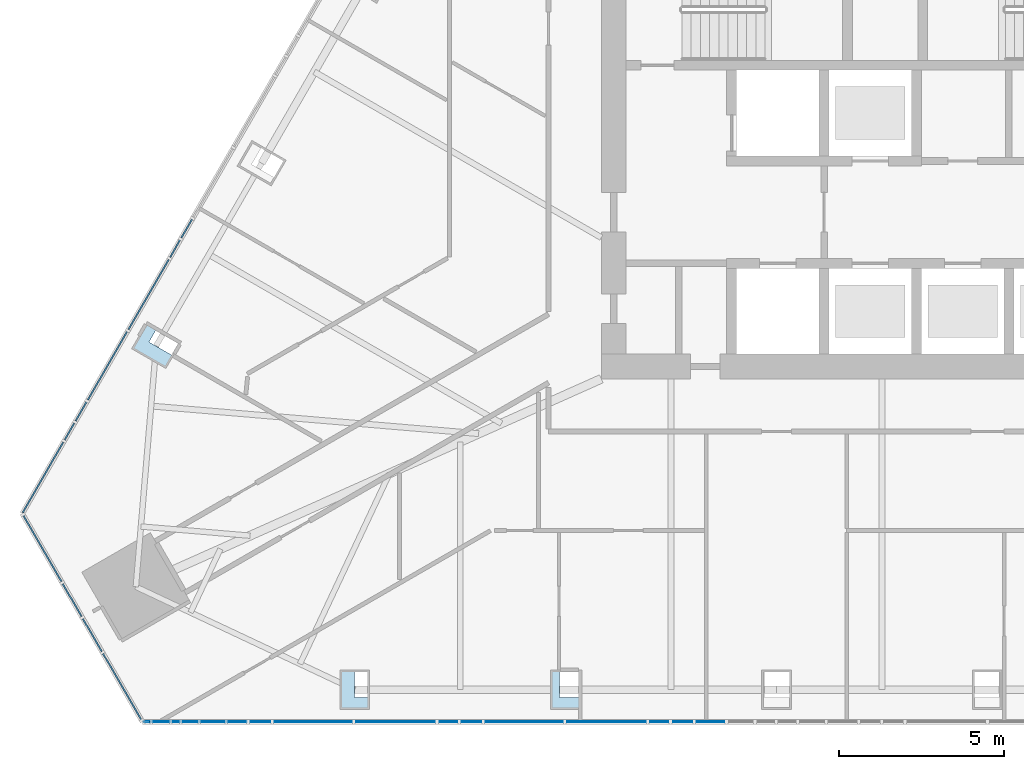
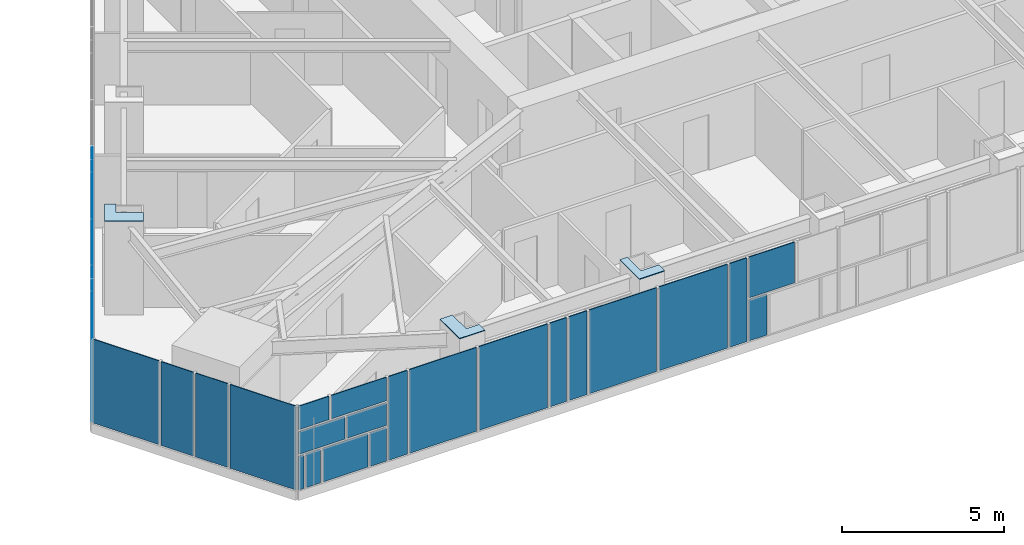
# One storey, part 16 of 26: 32 plates, 3 elements without a shape of their own.
"""IFC4 building model written with IfcOpenShell, lengths in metres."""

from ifc_helpers import new_model, si_unit, direction, frame, origin, place, context, subcontext, project, spatial, polyline, outline, extrude, material, layer, layer_set, type_object, element, aggregate, save


model = new_model("IFC4")

# Units and contexts
model_context = context("Model", 3, precision=1e-05, world=origin(), true_north=direction((0.0, 1.0)))
body_context = subcontext(model_context, "Body", "Model", "MODEL_VIEW")
ifc_project = project(units=[si_unit("LENGTHUNIT", "METRE"), si_unit("AREAUNIT", "SQUARE_METRE"), si_unit("VOLUMEUNIT", "CUBIC_METRE"), si_unit("PLANEANGLEUNIT", "RADIAN"), si_unit("MASSUNIT", "GRAM", prefix="KILO")], contexts=[model_context])

# Site, building, storey
site_placement = place(None, origin())
site = spatial("IfcSite", under=ifc_project, at=site_placement, CompositionType="ELEMENT")
building_placement = place(site_placement, origin())
building = spatial("IfcBuilding", under=site, at=building_placement, Name="Firuza Gate Tower and Library", CompositionType="ELEMENT")
storey_placement = place(building_placement, frame((0.0, 0.0, 288.10009765625)))
storey = spatial("IfcBuildingStorey", under=building, at=storey_placement, Name="L69", CompositionType="ELEMENT", Elevation=288.10009765625)

# Plates
ifc_material_1 = material(Name="Steel S355", Category="steel")
ifc_layer_1 = layer(ifc_material_1, 0.030029296875)
ifc_layer_set_1 = layer_set([ifc_layer_1], Name="Column infill plate 30 Steel S355")
plate_type_1 = type_object("IfcPlateType", Name="Column infill plate 30 Steel S355", PredefinedType="SHEET", material=ifc_layer_set_1)
placement_1 = place(storey_placement, frame((0.0, 0.0, 3.5)))
element("IfcPlate", 1, at=placement_1, inside=storey, type_object=plate_type_1, Name="Infill plate L69:S1", PredefinedType="SHEET", context=body_context, shape_type="SweptSolid", body=[
    extrude(outline(polyline([(59.4765625, 58.23193359375), (59.4765625, 58.587646484375), (59.0166015625, 58.587646484375), (59.0166015625, 59.431884765625), (58.57666015625, 59.431884765625), (58.57666015625, 58.23193359375), (59.4765625, 58.23193359375)])), origin(), (0.0, 0.0, 1.0), 0.02978515625),
])
element("IfcPlate", 2, at=placement_1, inside=storey, type_object=plate_type_1, Name="Infill plate L69:S2", PredefinedType="SHEET", context=body_context, shape_type="SweptSolid", body=[
    extrude(outline(polyline([(65.865966796875, 58.23193359375), (65.865966796875, 58.587646484375), (65.22998046875, 58.587646484375), (65.22998046875, 59.431884765625), (64.966064453125, 59.431884765625), (64.966064453125, 58.23193359375), (65.865966796875, 58.23193359375)])), origin(), (0.0, 0.0, 1.0), 0.02978515625),
])
element("IfcPlate", 3, at=placement_1, inside=storey, type_object=plate_type_1, Name="Infill plate L69:W6", PredefinedType="SHEET", context=body_context, shape_type="SweptSolid", body=[
    extrude(outline(polyline([(53.30615234375, 68.56103515625), (53.526123046875, 68.942138671875), (52.794921875, 69.3642578125), (53.02490234375, 69.7626953125), (52.716796875, 69.9404296875), (52.266845703125, 69.160888671875), (53.30615234375, 68.56103515625)])), origin(), (0.0, 0.0, 1.0), 0.02978515625),
])

# Curtain wall, plates
ifc_material_2 = material(Name="Aluminium 6063-T6", Category="aluminium")
ifc_layer_2 = layer(ifc_material_2, 0.14990234375)
ifc_layer_set_2 = layer_set([ifc_layer_2], Name="Corner curtain wall, chamfers")
curtain_wall_type_1 = type_object("IfcCurtainWallType", Name="Corner curtain wall, chamfers", PredefinedType="NOTDEFINED", material=ifc_layer_set_2)
placement_2 = place(storey_placement, origin())
curtain_wall_1 = element("IfcCurtainWall", 4, at=placement_2, inside=storey, type_object=curtain_wall_type_1, Name="CW4 L69 SW corner", PredefinedType="NOTDEFINED")
ifc_material_3 = material(Name="Fritted glass", Category="glass")
ifc_layer_3 = layer(ifc_material_3, 0.030029296875)
ifc_layer_set_3 = layer_set([ifc_layer_3], Name="Fritted glass unit, corners")
plate_type_2 = type_object("IfcPlateType", Name="Fritted glass unit, corners", PredefinedType="CURTAIN_PANEL", material=ifc_layer_set_3)
plate_4_placement = place(storey_placement, frame((50.168212890625, 62.028564453125, 0.14990234375), z_axis=(-0.865972029493, -0.500092435591, 0.0), x_axis=(0.500092435591, -0.865972029493, 0.0)))
plate_4 = element("IfcPlate", 5, at=plate_4_placement, type_object=plate_type_2, Name="Glass unit", PredefinedType="CURTAIN_PANEL", context=body_context, shape_type="SweptSolid", body=[
    extrude(outline(polyline([(0.0, 0.0), (1.142366934274804, 0.0), (1.142366934274804, 3.14990234375), (0.0, 3.14990234375), (0.0, 0.0)])), origin(), (0.0, 0.0, -1.0), 0.030029296875),
])
plate_5_placement = place(storey_placement, frame((50.779296875, 60.969970703125, 0.14990234375), z_axis=(-0.865918566217, -0.500185002455, 0.0), x_axis=(0.500185002455, -0.865918566217, 0.0)))
plate_5 = element("IfcPlate", 6, at=plate_5_placement, type_object=plate_type_2, Name="Glass unit", PredefinedType="CURTAIN_PANEL", context=body_context, shape_type="SweptSolid", body=[
    extrude(outline(polyline([(0.0, 0.0), (1.142155521847966, 0.0), (1.142155521847966, 3.14990234375), (0.0, 3.14990234375), (0.0, 0.0)])), origin(), (0.0, 0.0, -1.0), 0.030029296875),
])

ifc_material_4 = material(Name="Aluminium 6063-T6", Category="aluminium")
ifc_layer_4 = layer(ifc_material_4, 0.14990234375)
ifc_layer_set_4 = layer_set([ifc_layer_4], Name="Unitised curtain wall, residences")
curtain_wall_type_2 = type_object("IfcCurtainWallType", Name="Unitised curtain wall, residences", PredefinedType="NOTDEFINED", material=ifc_layer_set_4)
curtain_wall_2 = element("IfcCurtainWall", 7, at=placement_2, inside=storey, type_object=curtain_wall_type_2, Name="CW3 L69 S face", PredefinedType="NOTDEFINED")
ifc_material_5 = material(Name="Fritted glass", Category="glass")
ifc_layer_5 = layer(ifc_material_5, 0.030029296875)
ifc_layer_set_5 = layer_set([ifc_layer_5], Name="Fritted glass unit, residences")
plate_type_3 = type_object("IfcPlateType", Name="Fritted glass unit, residences", PredefinedType="CURTAIN_PANEL", material=ifc_layer_set_5)
plate_6_placement = place(storey_placement, frame((52.900146484375, 57.842041015625, 0.14990234375), z_axis=(0.0, -1.0, 0.0), x_axis=(1.0, 0.0, 0.0)))
plate_6 = element("IfcPlate", 8, at=plate_6_placement, type_object=plate_type_3, Name="Glass unit", PredefinedType="CURTAIN_PANEL", context=body_context, shape_type="SweptSolid", body=[
    extrude(outline(polyline([(0.0, 0.0), (0.51416015625, 0.0), (0.51416015625, 1.260009765625), (0.0, 1.260009765625), (0.0, 0.0)])), origin(), (0.0, 0.0, -1.0), 0.030029296875),
])
plate_7_placement = place(storey_placement, frame((55.170654296875, 57.842041015625, 0.14990234375), z_axis=(0.0, -1.0, 0.0), x_axis=(1.0, 0.0, 0.0)))
plate_7 = element("IfcPlate", 9, at=plate_7_placement, type_object=plate_type_3, Name="Glass unit", PredefinedType="CURTAIN_PANEL", context=body_context, shape_type="SweptSolid", body=[
    extrude(outline(polyline([(0.0, 0.0), (0.584228515625, 0.0), (0.584228515625, 1.260009765625), (0.0, 1.260009765625), (0.0, 0.0)])), origin(), (0.0, 0.0, -1.0), 0.030029296875),
])
plate_8_placement = place(storey_placement, frame((54.355224609375, 57.842041015625, 1.489990234375), z_axis=(0.0, -1.0, 0.0), x_axis=(1.0, 0.0, 0.0)))
plate_8 = element("IfcPlate", 10, at=plate_8_placement, type_object=plate_type_3, Name="Glass unit", PredefinedType="CURTAIN_PANEL", context=body_context, shape_type="SweptSolid", body=[
    extrude(outline(polyline([(0.0, 0.0), (1.399658203125, 0.0), (1.399658203125, 0.844970703125), (0.0, 0.844970703125), (0.0, 0.0)])), origin(), (0.0, 0.0, -1.0), 0.030029296875),
])
plate_9_placement = place(storey_placement, frame((53.792236328125, 57.842041015625, 2.414794921875), z_axis=(0.0, -1.0, 0.0), x_axis=(1.0, 0.0, 0.0)))
plate_9 = element("IfcPlate", 11, at=plate_9_placement, type_object=plate_type_3, Name="Glass unit", PredefinedType="CURTAIN_PANEL", context=body_context, shape_type="SweptSolid", body=[
    extrude(outline(polyline([(0.0, 0.0), (1.962646484375, 0.0), (1.962646484375, 0.885009765625), (0.0, 0.885009765625), (0.0, 0.0)])), origin(), (0.0, 0.0, -1.0), 0.030029296875),
])
plate_10_placement = place(storey_placement, frame((55.8349609375, 57.842041015625, 0.14990234375), z_axis=(0.0, -1.0, 0.0), x_axis=(1.0, 0.0, 0.0)))
plate_10 = element("IfcPlate", 12, at=plate_10_placement, type_object=plate_type_3, Name="Glass unit", PredefinedType="CURTAIN_PANEL", context=body_context, shape_type="SweptSolid", body=[
    extrude(outline(polyline([(0.0, 0.0), (0.658447265625, 0.0), (0.658447265625, 3.14990234375), (0.0, 3.14990234375), (0.0, 0.0)])), origin(), (0.0, 0.0, -1.0), 0.030029296875),
])
plate_11_placement = place(storey_placement, frame((61.559814453125, 57.842041015625, 0.14990234375), z_axis=(0.0, -1.0, 0.0), x_axis=(1.0, 0.0, 0.0)))
plate_11 = element("IfcPlate", 13, at=plate_11_placement, type_object=plate_type_3, Name="Glass unit", PredefinedType="CURTAIN_PANEL", context=body_context, shape_type="SweptSolid", body=[
    extrude(outline(polyline([(0.0, 0.0), (0.5966796875, 0.0), (0.5966796875, 3.14990234375), (0.0, 3.14990234375), (0.0, 0.0)])), origin(), (0.0, 0.0, -1.0), 0.030029296875),
])
plate_12_placement = place(storey_placement, frame((62.236572265625, 57.842041015625, 0.14990234375), z_axis=(0.0, -1.0, 0.0), x_axis=(1.0, 0.0, 0.0)))
plate_12 = element("IfcPlate", 14, at=plate_12_placement, type_object=plate_type_3, Name="Glass unit", PredefinedType="CURTAIN_PANEL", context=body_context, shape_type="SweptSolid", body=[
    extrude(outline(polyline([(0.0, 0.0), (0.646240234375, 0.0), (0.646240234375, 3.14990234375), (0.0, 3.14990234375), (0.0, 0.0)])), origin(), (0.0, 0.0, -1.0), 0.030029296875),
])
plate_13_placement = place(storey_placement, frame((67.94921875, 57.842041015625, 0.14990234375), z_axis=(0.0, -1.0, 0.0), x_axis=(1.0, 0.0, 0.0)))
plate_13 = element("IfcPlate", 15, at=plate_13_placement, type_object=plate_type_3, Name="Glass unit", PredefinedType="CURTAIN_PANEL", context=body_context, shape_type="SweptSolid", body=[
    extrude(outline(polyline([(0.0, 0.0), (0.609130859375, 0.0), (0.609130859375, 3.14990234375), (0.0, 3.14990234375), (0.0, 0.0)])), origin(), (0.0, 0.0, -1.0), 0.030029296875),
])
plate_14_placement = place(storey_placement, frame((68.63818359375, 57.842041015625, 0.14990234375), z_axis=(0.0, -1.0, 0.0), x_axis=(1.0, 0.0, 0.0)))
plate_14 = element("IfcPlate", 16, at=plate_14_placement, type_object=plate_type_3, Name="Glass unit", PredefinedType="CURTAIN_PANEL", context=body_context, shape_type="SweptSolid", body=[
    extrude(outline(polyline([(0.0, 0.0), (0.634033203125, 0.0), (0.634033203125, 1.534912109375), (0.0, 1.534912109375), (0.0, 0.0)])), origin(), (0.0, 0.0, -1.0), 0.030029296875),
])
plate_15_placement = place(storey_placement, frame((68.63818359375, 57.842041015625, 1.764892578125), z_axis=(0.0, -1.0, 0.0), x_axis=(1.0, 0.0, 0.0)))
plate_15 = element("IfcPlate", 17, at=plate_15_placement, type_object=plate_type_3, Name="Glass unit", PredefinedType="CURTAIN_PANEL", context=body_context, shape_type="SweptSolid", body=[
    extrude(outline(polyline([(0.0, 0.0), (1.61669921875, 0.0), (1.61669921875, 1.534912109375), (0.0, 1.534912109375), (0.0, 0.0)])), origin(), (0.0, 0.0, -1.0), 0.030029296875),
])

curtain_wall_3 = element("IfcCurtainWall", 18, at=placement_2, inside=storey, type_object=curtain_wall_type_2, Name="CW3 L69 W face", PredefinedType="NOTDEFINED")
plate_16_placement = place(storey_placement, frame((54.08203125, 73.085205078125, 0.14990234375), z_axis=(-0.866072329375, 0.499918713684, 0.0), x_axis=(-0.499918713684, -0.866072329375, 0.0)))
plate_16 = element("IfcPlate", 19, at=plate_16_placement, type_object=plate_type_3, Name="Glass unit", PredefinedType="CURTAIN_PANEL", context=body_context, shape_type="SweptSolid", body=[
    extrude(outline(polyline([(0.0, 0.0), (0.6461011321120034, 0.0), (0.6461011321120034, 3.14990234375), (0.0, 3.14990234375), (0.0, 0.0)])), origin(), (0.0, 0.0, -1.0), 0.030029296875),
])
plate_17_placement = place(storey_placement, frame((53.718994140625, 72.456298828125, 0.14990234375), z_axis=(-0.866069779101, 0.499923131819, 0.0), x_axis=(-0.499923131819, -0.866069779101, 0.0)))
plate_17 = element("IfcPlate", 20, at=plate_17_placement, type_object=plate_type_3, Name="Glass unit", PredefinedType="CURTAIN_PANEL", context=body_context, shape_type="SweptSolid", body=[
    extrude(outline(polyline([(0.0, 0.0), (0.596771432968729, 0.0), (0.596771432968729, 3.149902343750001), (0.0, 3.149902343750001), (0.0, 0.0)])), origin(), (0.0, 0.0, -1.0), 0.030029296875),
])
plate_18_placement = place(storey_placement, frame((50.887451171875, 67.5517578125, 0.14990234375), z_axis=(-0.865975674536, 0.500086123694, 0.0), x_axis=(-0.500086123694, -0.865975674536, 0.0)))
plate_18 = element("IfcPlate", 21, at=plate_18_placement, type_object=plate_type_3, Name="Glass unit", PredefinedType="CURTAIN_PANEL", context=body_context, shape_type="SweptSolid", body=[
    extrude(outline(polyline([(0.0, 0.0), (0.658577967915076, 0.0), (0.658577967915076, 3.149902343750001), (0.0, 3.149902343750001), (0.0, 0.0)])), origin(), (0.0, 0.0, -1.0), 0.030029296875),
])
plate_19_placement = place(storey_placement, frame((50.51806640625, 66.912353515625, 0.14990234375), z_axis=(-0.866178629724, 0.499734510926, 0.0), x_axis=(-0.499734510926, -0.866178629724, 0.0)))
plate_19 = element("IfcPlate", 22, at=plate_19_placement, type_object=plate_type_3, Name="Glass unit", PredefinedType="CURTAIN_PANEL", context=body_context, shape_type="SweptSolid", body=[
    extrude(outline(polyline([(0.0, 0.0), (0.5842946226767963, 0.0), (0.5842946226767963, 3.14990234375), (0.0, 3.14990234375), (0.0, 0.0)])), origin(), (0.0, 0.0, -1.0), 0.030029296875),
])

# Plate
ifc_material_6 = material(Name="Glazed ceramic tile")
ifc_layer_6 = layer(ifc_material_6, 0.030029296875)
ifc_layer_set_6 = layer_set([ifc_layer_6], Name="Opaque ceramic panel, corners")
plate_type_4 = type_object("IfcPlateType", Name="Opaque ceramic panel, corners", PredefinedType="CURTAIN_PANEL", material=ifc_layer_set_6)
plate_20_placement = place(storey_placement, frame((48.957763671875, 64.125244140625, 0.14990234375), z_axis=(-0.866020616849, -0.500008291124, 0.0), x_axis=(0.500008291124, -0.866020616849, 0.0)))
plate_20 = element("IfcPlate", 23, at=plate_20_placement, type_object=plate_type_4, Name="Opaque ceramic panel", PredefinedType="CURTAIN_PANEL", context=body_context, shape_type="SweptSolid", body=[
    extrude(outline(polyline([(0.0, 0.0), (2.3412697702317513, 0.0), (2.3412697702317513, 3.14990234375), (0.0, 3.14990234375), (0.0, 0.0)])), origin(), (0.0, 0.0, -1.0), 0.030029296875),
])

plate_21_placement = place(storey_placement, frame((51.390380859375, 59.91162109375, 0.14990234375), z_axis=(-0.866020616849, -0.500008291124, 0.0), x_axis=(0.500008291124, -0.866020616849, 0.0)))
plate_21 = element("IfcPlate", 24, at=plate_21_placement, type_object=plate_type_4, Name="Opaque ceramic panel", PredefinedType="CURTAIN_PANEL", context=body_context, shape_type="SweptSolid", body=[
    extrude(outline(polyline([(0.0, 0.0), (2.3412697702317513, 0.0), (2.3412697702317513, 3.14990234375), (0.0, 3.14990234375), (0.0, 0.0)])), origin(), (0.0, 0.0, -1.0), 0.030029296875),
])

aggregate(curtain_wall_1, [plate_20, plate_4, plate_5, plate_21])

ifc_material_7 = material(Name="Glazed ceramic tile")
ifc_layer_7 = layer(ifc_material_7, 0.030029296875)
ifc_layer_set_7 = layer_set([ifc_layer_7], Name="Opaque ceramic panel, residences")
plate_type_5 = type_object("IfcPlateType", Name="Opaque ceramic panel, residences", PredefinedType="CURTAIN_PANEL", material=ifc_layer_set_7)
plate_22_placement = place(storey_placement, frame((52.634033203125, 57.842041015625, 0.14990234375), z_axis=(0.0, -1.0, 0.0), x_axis=(1.0, 0.0, 0.0)))
plate_22 = element("IfcPlate", 25, at=plate_22_placement, type_object=plate_type_5, Name="Opaque ceramic panel", PredefinedType="CURTAIN_PANEL", context=body_context, shape_type="SweptSolid", body=[
    extrude(outline(polyline([(0.0, 0.0), (0.18603515625, 0.0), (0.18603515625, 1.260009765625), (0.0, 1.260009765625), (0.0, 0.0)])), origin(), (0.0, 0.0, -1.0), 0.030029296875),
])

plate_23_placement = place(storey_placement, frame((53.494384765625, 57.842041015625, 0.14990234375), z_axis=(0.0, -1.0, 0.0), x_axis=(1.0, 0.0, 0.0)))
plate_23 = element("IfcPlate", 26, at=plate_23_placement, type_object=plate_type_5, Name="Opaque ceramic panel", PredefinedType="CURTAIN_PANEL", context=body_context, shape_type="SweptSolid", body=[
    extrude(outline(polyline([(0.0, 0.0), (1.59619140625, 0.0), (1.59619140625, 1.260009765625), (0.0, 1.260009765625), (0.0, 0.0)])), origin(), (0.0, 0.0, -1.0), 0.030029296875),
])

plate_24_placement = place(storey_placement, frame((52.634033203125, 57.842041015625, 1.489990234375), z_axis=(0.0, -1.0, 0.0), x_axis=(1.0, 0.0, 0.0)))
plate_24 = element("IfcPlate", 27, at=plate_24_placement, type_object=plate_type_5, Name="Opaque ceramic panel", PredefinedType="CURTAIN_PANEL", context=body_context, shape_type="SweptSolid", body=[
    extrude(outline(polyline([(0.0, 0.0), (1.64111328125, 0.0), (1.64111328125, 0.844970703125), (0.0, 0.844970703125), (0.0, 0.0)])), origin(), (0.0, 0.0, -1.0), 0.030029296875),
])

plate_25_placement = place(storey_placement, frame((52.634033203125, 57.842041015625, 2.414794921875), z_axis=(0.0, -1.0, 0.0), x_axis=(1.0, 0.0, 0.0)))
plate_25 = element("IfcPlate", 28, at=plate_25_placement, type_object=plate_type_5, Name="Opaque ceramic panel", PredefinedType="CURTAIN_PANEL", context=body_context, shape_type="SweptSolid", body=[
    extrude(outline(polyline([(0.0, 0.0), (1.078125, 0.0), (1.078125, 0.885009765625), (0.0, 0.885009765625), (0.0, 0.0)])), origin(), (0.0, 0.0, -1.0), 0.030029296875),
])

plate_26_placement = place(storey_placement, frame((56.573486328125, 57.842041015625, 0.14990234375), z_axis=(0.0, -1.0, 0.0), x_axis=(1.0, 0.0, 0.0)))
plate_26 = element("IfcPlate", 29, at=plate_26_placement, type_object=plate_type_5, Name="Opaque ceramic panel", PredefinedType="CURTAIN_PANEL", context=body_context, shape_type="SweptSolid", body=[
    extrude(outline(polyline([(0.0, 0.0), (2.38232421875, 0.0), (2.38232421875, 3.14990234375), (0.0, 3.14990234375), (0.0, 0.0)])), origin(), (0.0, 0.0, -1.0), 0.030029296875),
])

plate_27_placement = place(storey_placement, frame((59.03564453125, 57.842041015625, 0.14990234375), z_axis=(0.0, -1.0, 0.0), x_axis=(1.0, 0.0, 0.0)))
plate_27 = element("IfcPlate", 30, at=plate_27_placement, type_object=plate_type_5, Name="Opaque ceramic panel", PredefinedType="CURTAIN_PANEL", context=body_context, shape_type="SweptSolid", body=[
    extrude(outline(polyline([(0.0, 0.0), (2.4443359375, 0.0), (2.4443359375, 3.14990234375), (0.0, 3.14990234375), (0.0, 0.0)])), origin(), (0.0, 0.0, -1.0), 0.030029296875),
])

plate_28_placement = place(storey_placement, frame((62.962890625, 57.842041015625, 0.14990234375), z_axis=(0.0, -1.0, 0.0), x_axis=(1.0, 0.0, 0.0)))
plate_28 = element("IfcPlate", 31, at=plate_28_placement, type_object=plate_type_5, Name="Opaque ceramic panel", PredefinedType="CURTAIN_PANEL", context=body_context, shape_type="SweptSolid", body=[
    extrude(outline(polyline([(0.0, 0.0), (2.39453125, 0.0), (2.39453125, 3.14990234375), (0.0, 3.14990234375), (0.0, 0.0)])), origin(), (0.0, 0.0, -1.0), 0.030029296875),
])

plate_29_placement = place(storey_placement, frame((65.4375, 57.842041015625, 0.14990234375), z_axis=(0.0, -1.0, 0.0), x_axis=(1.0, 0.0, 0.0)))
plate_29 = element("IfcPlate", 32, at=plate_29_placement, type_object=plate_type_5, Name="Opaque ceramic panel", PredefinedType="CURTAIN_PANEL", context=body_context, shape_type="SweptSolid", body=[
    extrude(outline(polyline([(0.0, 0.0), (2.431640625, 0.0), (2.431640625, 3.14990234375), (0.0, 3.14990234375), (0.0, 0.0)])), origin(), (0.0, 0.0, -1.0), 0.030029296875),
])

aggregate(curtain_wall_2, [plate_22, plate_6, plate_23, plate_7, plate_24, plate_8, plate_25, plate_9, plate_10, plate_26, plate_27, plate_11, plate_12, plate_28, plate_29, plate_13, plate_14, plate_15])

plate_30_placement = place(storey_placement, frame((53.380615234375, 71.8701171875, 0.14990234375), z_axis=(-0.866027544323, 0.49999629246, 0.0), x_axis=(-0.49999629246, -0.866027544323, 0.0)))
plate_30 = element("IfcPlate", 33, at=plate_30_placement, type_object=plate_type_5, Name="Opaque ceramic panel", PredefinedType="CURTAIN_PANEL", context=body_context, shape_type="SweptSolid", body=[
    extrude(outline(polyline([(0.0, 0.0), (2.4438657777097244, 0.0), (2.4438657777097244, 3.14990234375), (0.0, 3.14990234375), (0.0, 0.0)])), origin(), (0.0, 0.0, -1.0), 0.030029296875),
])

plate_31_placement = place(storey_placement, frame((52.11865234375, 69.684326171875, 0.14990234375), z_axis=(-0.866033707122, 0.499985617921, 0.0), x_axis=(-0.499985617921, -0.866033707122, 0.0)))
plate_31 = element("IfcPlate", 34, at=plate_31_placement, type_object=plate_type_5, Name="Opaque ceramic panel", PredefinedType="CURTAIN_PANEL", context=body_context, shape_type="SweptSolid", body=[
    extrude(outline(polyline([(0.0, 0.0), (2.382392746271462, 0.0), (2.382392746271462, 3.14990234375), (0.0, 3.14990234375), (0.0, 0.0)])), origin(), (0.0, 0.0, -1.0), 0.030029296875),
])

plate_32_placement = place(storey_placement, frame((50.18603515625, 66.3369140625, 0.14990234375), z_axis=(-0.866026705384, 0.499997745557, 0.0), x_axis=(-0.499997745557, -0.866026705384, 0.0)))
plate_32 = element("IfcPlate", 35, at=plate_32_placement, type_object=plate_type_5, Name="Opaque ceramic panel", PredefinedType="CURTAIN_PANEL", context=body_context, shape_type="SweptSolid", body=[
    extrude(outline(polyline([(0.0, 0.0), (2.456554045071214, 0.0), (2.456554045071214, 3.14990234375), (0.0, 3.14990234375), (0.0, 0.0)])), origin(), (0.0, 0.0, -1.0), 0.030029296875),
])

aggregate(curtain_wall_3, [plate_16, plate_17, plate_30, plate_31, plate_18, plate_19, plate_32])

save(model, "model.ifc")
